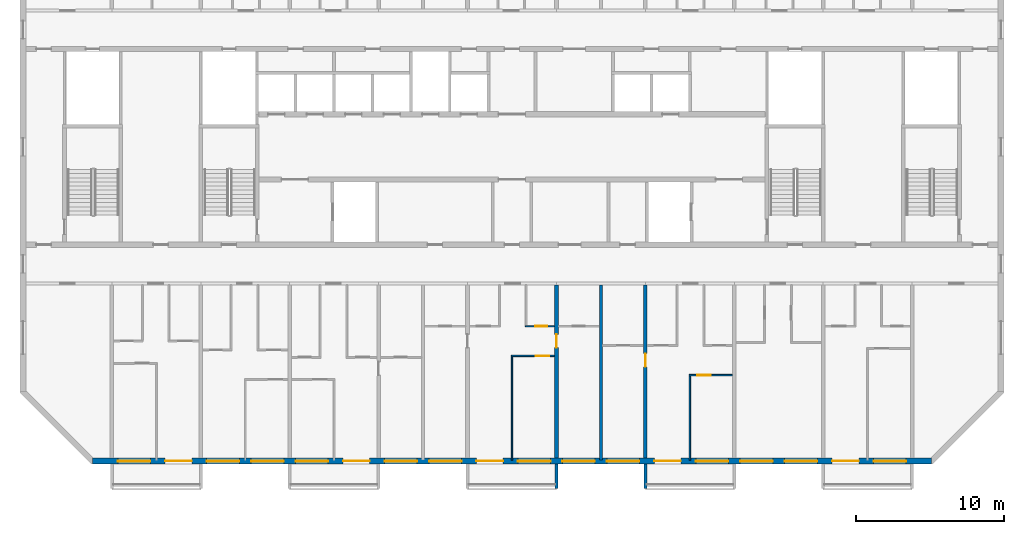
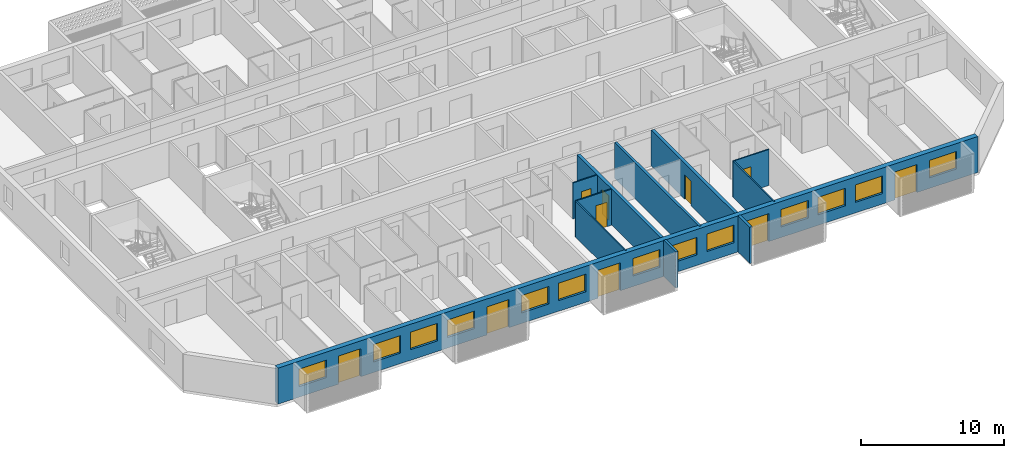
# One storey, part 4 of 26: 13 windows, 11 walls, 10 doors, 23 openings.
"""IFC4 building model written with IfcOpenShell, lengths in metres."""

from ifc_helpers import new_model, si_unit, direction, frame, frame_2d, origin, place, context, subcontext, project, spatial, polyline, rectangle, outline, extrude, source, transform, mapped, material, layer, layer_set, type_object, element, fill, save


model = new_model("IFC4")

# Units and contexts
model_context = context("Model", 3, precision=1e-05, world=origin(), true_north=direction((0.0, 1.0)))
body_context = subcontext(model_context, "Body", "Model", "MODEL_VIEW")
ifc_project = project(units=[si_unit("LENGTHUNIT", "METRE"), si_unit("AREAUNIT", "SQUARE_METRE"), si_unit("VOLUMEUNIT", "CUBIC_METRE"), si_unit("PLANEANGLEUNIT", "RADIAN"), si_unit("MASSUNIT", "GRAM", prefix="KILO")], contexts=[model_context])

# Site, building, storey
site_placement = place(None, origin())
site = spatial("IfcSite", under=ifc_project, at=site_placement, CompositionType="ELEMENT")
building_placement = place(site_placement, origin())
building = spatial("IfcBuilding", under=site, at=building_placement, Name="Poui Terraces", CompositionType="ELEMENT")
storey_placement = place(building_placement, frame((0.0, 0.0, 221.39990234375)))
storey = spatial("IfcBuildingStorey", under=building, at=storey_placement, Name="L61", CompositionType="ELEMENT", Elevation=221.39990234375)

# Wall, opening, door
ifc_material_1 = material(Name="Concrete 50 MPa", Category="concrete")
ifc_layer_1 = layer(ifc_material_1, 0.25)
ifc_layer_set_1 = layer_set([ifc_layer_1], Name="Concrete 50 MPa")
wall_type_1 = type_object("IfcWallType", Name="CROSS WALL 250 50MPa", PredefinedType="SHEAR", material=ifc_layer_set_1)
wall_1_placement = place(storey_placement, frame((54.0, 0.199951171875, 0.0), z_axis=(0.0, 0.0, 1.0), x_axis=(0.0, 1.0, 0.0)))
wall_1 = element("IfcWall", 1, at=wall_1_placement, inside=storey, type_object=wall_type_1, Name="CROSS WALL LINE 10 SOUTH", PredefinedType="SHEAR", context=body_context, shape_type="SweptSolid", body=[
    extrude(rectangle(XDim=11.699951171875, YDim=0.25, at=frame_2d((5.85009765625, 0.0))), origin(), (0.0, 0.0, 1.0), 3.080078125),
])
opening_1_placement = place(wall_1_placement, frame((7.449951171875, 0.0, 0.0)))
opening_1 = element("IfcOpeningElement", 2, at=opening_1_placement, cuts=wall_1, Name="Opening D90", PredefinedType="OPENING", context=body_context, shape_type="SweptSolid", body=[
    extrude(rectangle(XDim=0.89990234375, YDim=2.10009765625, at=frame_2d((0.449951171875, 1.050048828125))), frame((0.0, 0.135009765625, 0.0), z_axis=(0.0, -1.0, 0.0), x_axis=(1.0, 0.0, 0.0)), (0.0, 0.0, 1.0), 0.27001953125),
])
ifc_material_2 = material(Name="Solid core timber door", Category="wood")
door_type_1 = type_object("IfcDoorType", Name="INTERNAL DOOR 900 X 2100", OperationType="NOTDEFINED", PredefinedType="DOOR", material=ifc_material_2)
door_1_placement = place(opening_1_placement, frame((0.89990234375, 0.0, 0.0), z_axis=(0.0, 0.0, 1.0), x_axis=(-1.0, 0.0, 0.0)))
door_1 = element("IfcDoor", 3, at=door_1_placement, inside=storey, type_object=door_type_1, Name="INTERNAL DOOR 080", OperationType="SINGLE_SWING_LEFT", OverallHeight=2.10009765625, OverallWidth=0.89990234375, PredefinedType="DOOR", context=body_context, shape_type="SweptSolid", body=[
    extrude(rectangle(XDim=0.89990234375, YDim=2.10009765625, at=frame_2d((0.449951171875, 1.050048828125))), frame((0.0, 0.02490234375, 0.0), z_axis=(0.0, -1.0, 0.0), x_axis=(1.0, 0.0, 0.0)), (0.0, 0.0, 1.0), 0.050048828125),
])
fill(opening_1, door_1)

wall_2_placement = place(storey_placement, frame((60.0, 0.199951171875, 0.0), z_axis=(0.0, 0.0, 1.0), x_axis=(0.0, 1.0, 0.0)))
wall_2 = element("IfcWall", 4, at=wall_2_placement, inside=storey, type_object=wall_type_1, Name="CROSS WALL LINE 11 SOUTH", PredefinedType="SHEAR", context=body_context, shape_type="SweptSolid", body=[
    extrude(rectangle(XDim=11.699951171875, YDim=0.25, at=frame_2d((5.85009765625, 0.0))), origin(), (0.0, 0.0, 1.0), 3.080078125),
])
opening_2_placement = place(wall_2_placement, frame((6.14990234375, 0.0, 0.0)))
opening_2 = element("IfcOpeningElement", 5, at=opening_2_placement, cuts=wall_2, Name="Opening D90", PredefinedType="OPENING", context=body_context, shape_type="SweptSolid", body=[
    extrude(rectangle(XDim=0.89990234375, YDim=2.10009765625, at=frame_2d((0.449951171875, 1.050048828125))), frame((0.0, 0.135009765625, 0.0), z_axis=(0.0, -1.0, 0.0), x_axis=(1.0, 0.0, 0.0)), (0.0, 0.0, 1.0), 0.27001953125),
])
door_2_placement = place(opening_2_placement, origin())
door_2 = element("IfcDoor", 6, at=door_2_placement, inside=storey, type_object=door_type_1, Name="INTERNAL DOOR 082", OperationType="SINGLE_SWING_RIGHT", OverallHeight=2.10009765625, OverallWidth=0.89990234375, PredefinedType="DOOR", context=body_context, shape_type="SweptSolid", body=[
    extrude(rectangle(XDim=0.89990234375, YDim=2.10009765625, at=frame_2d((0.449951171875, 1.050048828125))), frame((0.0, 0.02490234375, 0.0), z_axis=(0.0, -1.0, 0.0), x_axis=(1.0, 0.0, 0.0)), (0.0, 0.0, 1.0), 0.050048828125),
])
fill(opening_2, door_2)

# Wall, openings, doors, windows
ifc_material_3 = material(Name="Precast concrete 40 MPa", Category="concrete")
ifc_layer_2 = layer(ifc_material_3, 0.39990234375)
ifc_layer_set_2 = layer_set([ifc_layer_2], Name="Precast concrete 40 MPa")
wall_type_2 = type_object("IfcWallType", Name="EXTERNAL WALL 400", PredefinedType="STANDARD", material=ifc_layer_set_2)
wall_3_placement = place(storey_placement, frame((22.682861328125, 0.0, 0.0), z_axis=(0.0, 0.0, 1.0), x_axis=(1.0, 0.0, 0.0)))
wall_3 = element("IfcWall", 7, at=wall_3_placement, inside=storey, type_object=wall_type_2, Name="EXTERNAL WALL S", PredefinedType="STANDARD", context=body_context, shape_type="SweptSolid", body=[
    extrude(rectangle(XDim=56.63427734375, YDim=0.39990234375, at=frame_2d((28.317138671875, 0.0))), origin(), (0.0, 0.0, 1.0), 3.080078125),
])
opening_3_placement = place(wall_3_placement, frame((1.71728515625, 0.0, 0.89990234375)))
opening_3 = element("IfcOpeningElement", 8, at=opening_3_placement, cuts=wall_3, Name="Opening W1", PredefinedType="OPENING", context=body_context, shape_type="SweptSolid", body=[
    extrude(rectangle(XDim=2.199951171875, YDim=1.5, at=frame_2d((1.10009765625, 0.75))), frame((0.0, 0.2099609375, 0.0), z_axis=(0.0, -1.0, 0.0), x_axis=(1.0, 0.0, 0.0)), (0.0, 0.0, 1.0), 0.419921875),
])
opening_4_placement = place(wall_3_placement, frame((4.917236328125, 0.0, 0.0)))
opening_4 = element("IfcOpeningElement", 9, at=opening_4_placement, cuts=wall_3, Name="Opening BD1", PredefinedType="OPENING", context=body_context, shape_type="SweptSolid", body=[
    extrude(rectangle(XDim=1.800048828125, YDim=2.39990234375, at=frame_2d((0.89990234375, 1.199951171875))), frame((0.0, 0.2099609375, 0.0), z_axis=(0.0, -1.0, 0.0), x_axis=(1.0, 0.0, 0.0)), (0.0, 0.0, 1.0), 0.419921875),
])
opening_5_placement = place(wall_3_placement, frame((7.71728515625, 0.0, 0.89990234375)))
opening_5 = element("IfcOpeningElement", 10, at=opening_5_placement, cuts=wall_3, Name="Opening W1", PredefinedType="OPENING", context=body_context, shape_type="SweptSolid", body=[
    extrude(rectangle(XDim=2.199951171875, YDim=1.5, at=frame_2d((1.10009765625, 0.75))), frame((0.0, 0.2099609375, 0.0), z_axis=(0.0, -1.0, 0.0), x_axis=(1.0, 0.0, 0.0)), (0.0, 0.0, 1.0), 0.419921875),
])
opening_6_placement = place(wall_3_placement, frame((10.71728515625, 0.0, 0.89990234375)))
opening_6 = element("IfcOpeningElement", 11, at=opening_6_placement, cuts=wall_3, Name="Opening W1", PredefinedType="OPENING", context=body_context, shape_type="SweptSolid", body=[
    extrude(rectangle(XDim=2.199951171875, YDim=1.5, at=frame_2d((1.10009765625, 0.75))), frame((0.0, 0.2099609375, 0.0), z_axis=(0.0, -1.0, 0.0), x_axis=(1.0, 0.0, 0.0)), (0.0, 0.0, 1.0), 0.419921875),
])
opening_7_placement = place(wall_3_placement, frame((13.71728515625, 0.0, 0.89990234375)))
opening_7 = element("IfcOpeningElement", 12, at=opening_7_placement, cuts=wall_3, Name="Opening W1", PredefinedType="OPENING", context=body_context, shape_type="SweptSolid", body=[
    extrude(rectangle(XDim=2.199951171875, YDim=1.5, at=frame_2d((1.10009765625, 0.75))), frame((0.0, 0.2099609375, 0.0), z_axis=(0.0, -1.0, 0.0), x_axis=(1.0, 0.0, 0.0)), (0.0, 0.0, 1.0), 0.419921875),
])
opening_8_placement = place(wall_3_placement, frame((16.917236328125, 0.0, 0.0)))
opening_8 = element("IfcOpeningElement", 13, at=opening_8_placement, cuts=wall_3, Name="Opening BD1", PredefinedType="OPENING", context=body_context, shape_type="SweptSolid", body=[
    extrude(rectangle(XDim=1.800048828125, YDim=2.39990234375, at=frame_2d((0.89990234375, 1.199951171875))), frame((0.0, 0.2099609375, 0.0), z_axis=(0.0, -1.0, 0.0), x_axis=(1.0, 0.0, 0.0)), (0.0, 0.0, 1.0), 0.419921875),
])
opening_9_placement = place(wall_3_placement, frame((19.71728515625, 0.0, 0.89990234375)))
opening_9 = element("IfcOpeningElement", 14, at=opening_9_placement, cuts=wall_3, Name="Opening W1", PredefinedType="OPENING", context=body_context, shape_type="SweptSolid", body=[
    extrude(rectangle(XDim=2.199951171875, YDim=1.5, at=frame_2d((1.10009765625, 0.75))), frame((0.0, 0.2099609375, 0.0), z_axis=(0.0, -1.0, 0.0), x_axis=(1.0, 0.0, 0.0)), (0.0, 0.0, 1.0), 0.419921875),
])
opening_10_placement = place(wall_3_placement, frame((22.71728515625, 0.0, 0.89990234375)))
opening_10 = element("IfcOpeningElement", 15, at=opening_10_placement, cuts=wall_3, Name="Opening W1", PredefinedType="OPENING", context=body_context, shape_type="SweptSolid", body=[
    extrude(rectangle(XDim=2.199951171875, YDim=1.5, at=frame_2d((1.10009765625, 0.75))), frame((0.0, 0.2099609375, 0.0), z_axis=(0.0, -1.0, 0.0), x_axis=(1.0, 0.0, 0.0)), (0.0, 0.0, 1.0), 0.419921875),
])
opening_11_placement = place(wall_3_placement, frame((25.917236328125, 0.0, 0.0)))
opening_11 = element("IfcOpeningElement", 16, at=opening_11_placement, cuts=wall_3, Name="Opening BD1", PredefinedType="OPENING", context=body_context, shape_type="SweptSolid", body=[
    extrude(rectangle(XDim=1.800048828125, YDim=2.39990234375, at=frame_2d((0.89990234375, 1.199951171875))), frame((0.0, 0.2099609375, 0.0), z_axis=(0.0, -1.0, 0.0), x_axis=(1.0, 0.0, 0.0)), (0.0, 0.0, 1.0), 0.419921875),
])
opening_12_placement = place(wall_3_placement, frame((28.71728515625, 0.0, 0.89990234375)))
opening_12 = element("IfcOpeningElement", 17, at=opening_12_placement, cuts=wall_3, Name="Opening W1", PredefinedType="OPENING", context=body_context, shape_type="SweptSolid", body=[
    extrude(rectangle(XDim=2.199951171875, YDim=1.5, at=frame_2d((1.10009765625, 0.75))), frame((0.0, 0.2099609375, 0.0), z_axis=(0.0, -1.0, 0.0), x_axis=(1.0, 0.0, 0.0)), (0.0, 0.0, 1.0), 0.419921875),
])
opening_13_placement = place(wall_3_placement, frame((31.71728515625, 0.0, 0.89990234375)))
opening_13 = element("IfcOpeningElement", 18, at=opening_13_placement, cuts=wall_3, Name="Opening W1", PredefinedType="OPENING", context=body_context, shape_type="SweptSolid", body=[
    extrude(rectangle(XDim=2.199951171875, YDim=1.5, at=frame_2d((1.10009765625, 0.75))), frame((0.0, 0.2099609375, 0.0), z_axis=(0.0, -1.0, 0.0), x_axis=(1.0, 0.0, 0.0)), (0.0, 0.0, 1.0), 0.419921875),
])
opening_14_placement = place(wall_3_placement, frame((34.71728515625, 0.0, 0.89990234375)))
opening_14 = element("IfcOpeningElement", 19, at=opening_14_placement, cuts=wall_3, Name="Opening W1", PredefinedType="OPENING", context=body_context, shape_type="SweptSolid", body=[
    extrude(rectangle(XDim=2.199951171875, YDim=1.5, at=frame_2d((1.10009765625, 0.75))), frame((0.0, 0.2099609375, 0.0), z_axis=(0.0, -1.0, 0.0), x_axis=(1.0, 0.0, 0.0)), (0.0, 0.0, 1.0), 0.419921875),
])
opening_15_placement = place(wall_3_placement, frame((37.917236328125, 0.0, 0.0)))
opening_15 = element("IfcOpeningElement", 20, at=opening_15_placement, cuts=wall_3, Name="Opening BD1", PredefinedType="OPENING", context=body_context, shape_type="SweptSolid", body=[
    extrude(rectangle(XDim=1.800048828125, YDim=2.39990234375, at=frame_2d((0.89990234375, 1.199951171875))), frame((0.0, 0.2099609375, 0.0), z_axis=(0.0, -1.0, 0.0), x_axis=(1.0, 0.0, 0.0)), (0.0, 0.0, 1.0), 0.419921875),
])
opening_16_placement = place(wall_3_placement, frame((40.71728515625, 0.0, 0.89990234375)))
opening_16 = element("IfcOpeningElement", 21, at=opening_16_placement, cuts=wall_3, Name="Opening W1", PredefinedType="OPENING", context=body_context, shape_type="SweptSolid", body=[
    extrude(rectangle(XDim=2.199951171875, YDim=1.5, at=frame_2d((1.10009765625, 0.75))), frame((0.0, 0.2099609375, 0.0), z_axis=(0.0, -1.0, 0.0), x_axis=(1.0, 0.0, 0.0)), (0.0, 0.0, 1.0), 0.419921875),
])
opening_17_placement = place(wall_3_placement, frame((43.71728515625, 0.0, 0.89990234375)))
opening_17 = element("IfcOpeningElement", 22, at=opening_17_placement, cuts=wall_3, Name="Opening W1", PredefinedType="OPENING", context=body_context, shape_type="SweptSolid", body=[
    extrude(rectangle(XDim=2.199951171875, YDim=1.5, at=frame_2d((1.10009765625, 0.75))), frame((0.0, 0.2099609375, 0.0), z_axis=(0.0, -1.0, 0.0), x_axis=(1.0, 0.0, 0.0)), (0.0, 0.0, 1.0), 0.419921875),
])
opening_18_placement = place(wall_3_placement, frame((46.71728515625, 0.0, 0.89990234375)))
opening_18 = element("IfcOpeningElement", 23, at=opening_18_placement, cuts=wall_3, Name="Opening W1", PredefinedType="OPENING", context=body_context, shape_type="SweptSolid", body=[
    extrude(rectangle(XDim=2.199951171875, YDim=1.5, at=frame_2d((1.10009765625, 0.75))), frame((0.0, 0.2099609375, 0.0), z_axis=(0.0, -1.0, 0.0), x_axis=(1.0, 0.0, 0.0)), (0.0, 0.0, 1.0), 0.419921875),
])
opening_19_placement = place(wall_3_placement, frame((49.917236328125, 0.0, 0.0)))
opening_19 = element("IfcOpeningElement", 24, at=opening_19_placement, cuts=wall_3, Name="Opening BD1", PredefinedType="OPENING", context=body_context, shape_type="SweptSolid", body=[
    extrude(rectangle(XDim=1.800048828125, YDim=2.39990234375, at=frame_2d((0.89990234375, 1.199951171875))), frame((0.0, 0.2099609375, 0.0), z_axis=(0.0, -1.0, 0.0), x_axis=(1.0, 0.0, 0.0)), (0.0, 0.0, 1.0), 0.419921875),
])
opening_20_placement = place(wall_3_placement, frame((52.71728515625, 0.0, 0.89990234375)))
opening_20 = element("IfcOpeningElement", 25, at=opening_20_placement, cuts=wall_3, Name="Opening W1", PredefinedType="OPENING", context=body_context, shape_type="SweptSolid", body=[
    extrude(rectangle(XDim=2.199951171875, YDim=1.5, at=frame_2d((1.10009765625, 0.75))), frame((0.0, 0.2099609375, 0.0), z_axis=(0.0, -1.0, 0.0), x_axis=(1.0, 0.0, 0.0)), (0.0, 0.0, 1.0), 0.419921875),
])
ifc_material_4 = material(Name="Clear glass in aluminium frame", Category="aluminium")
door_type_2 = type_object("IfcDoorType", Name="BALCONY DOOR 1800X2400", OperationType="DOUBLE_DOOR_SLIDING", PredefinedType="DOOR", material=ifc_material_4)
door_3_placement = place(opening_4_placement, origin())
door_3 = element("IfcDoor", 26, at=door_3_placement, inside=storey, type_object=door_type_2, Name="BD1 BALCONY DOOR", OperationType="DOUBLE_DOOR_SLIDING", OverallHeight=2.39990234375, OverallWidth=1.800048828125, PredefinedType="DOOR", context=body_context, shape_type="SweptSolid", body=[
    extrude(rectangle(XDim=1.800048828125, YDim=2.39990234375, at=frame_2d((0.89990234375, 1.199951171875))), frame((0.0, 0.02490234375, 0.0), z_axis=(0.0, -1.0, 0.0), x_axis=(1.0, 0.0, 0.0)), (0.0, 0.0, 1.0), 0.050048828125),
])
fill(opening_4, door_3)
door_4_placement = place(opening_8_placement, origin())
door_4 = element("IfcDoor", 27, at=door_4_placement, inside=storey, type_object=door_type_2, Name="BD1 BALCONY DOOR", OperationType="DOUBLE_DOOR_SLIDING", OverallHeight=2.39990234375, OverallWidth=1.800048828125, PredefinedType="DOOR", context=body_context, shape_type="SweptSolid", body=[
    extrude(rectangle(XDim=1.800048828125, YDim=2.39990234375, at=frame_2d((0.89990234375, 1.199951171875))), frame((0.0, 0.02490234375, 0.0), z_axis=(0.0, -1.0, 0.0), x_axis=(1.0, 0.0, 0.0)), (0.0, 0.0, 1.0), 0.050048828125),
])
fill(opening_8, door_4)
door_5_placement = place(opening_11_placement, origin())
door_5 = element("IfcDoor", 28, at=door_5_placement, inside=storey, type_object=door_type_2, Name="BD1 BALCONY DOOR", OperationType="DOUBLE_DOOR_SLIDING", OverallHeight=2.39990234375, OverallWidth=1.800048828125, PredefinedType="DOOR", context=body_context, shape_type="SweptSolid", body=[
    extrude(rectangle(XDim=1.800048828125, YDim=2.39990234375, at=frame_2d((0.89990234375, 1.199951171875))), frame((0.0, 0.02490234375, 0.0), z_axis=(0.0, -1.0, 0.0), x_axis=(1.0, 0.0, 0.0)), (0.0, 0.0, 1.0), 0.050048828125),
])
fill(opening_11, door_5)
door_6_placement = place(opening_15_placement, origin())
door_6 = element("IfcDoor", 29, at=door_6_placement, inside=storey, type_object=door_type_2, Name="BD1 BALCONY DOOR", OperationType="DOUBLE_DOOR_SLIDING", OverallHeight=2.39990234375, OverallWidth=1.800048828125, PredefinedType="DOOR", context=body_context, shape_type="SweptSolid", body=[
    extrude(rectangle(XDim=1.800048828125, YDim=2.39990234375, at=frame_2d((0.89990234375, 1.199951171875))), frame((0.0, 0.02490234375, 0.0), z_axis=(0.0, -1.0, 0.0), x_axis=(1.0, 0.0, 0.0)), (0.0, 0.0, 1.0), 0.050048828125),
])
fill(opening_15, door_6)
door_7_placement = place(opening_19_placement, origin())
door_7 = element("IfcDoor", 30, at=door_7_placement, inside=storey, type_object=door_type_2, Name="BD1 BALCONY DOOR", OperationType="DOUBLE_DOOR_SLIDING", OverallHeight=2.39990234375, OverallWidth=1.800048828125, PredefinedType="DOOR", context=body_context, shape_type="SweptSolid", body=[
    extrude(rectangle(XDim=1.800048828125, YDim=2.39990234375, at=frame_2d((0.89990234375, 1.199951171875))), frame((0.0, 0.02490234375, 0.0), z_axis=(0.0, -1.0, 0.0), x_axis=(1.0, 0.0, 0.0)), (0.0, 0.0, 1.0), 0.050048828125),
])
fill(opening_19, door_7)
window_type = type_object("IfcWindowType", Name="WINDOW 2200X1500", PartitioningType="DOUBLE_PANEL_HORIZONTAL", PredefinedType="WINDOW", material=ifc_material_4)
window_1_placement = place(opening_3_placement, origin())
window_1 = element("IfcWindow", 31, at=window_1_placement, inside=storey, type_object=window_type, Name="W1 WINDOW", OverallHeight=1.5, OverallWidth=2.199951171875, PartitioningType="DOUBLE_PANEL_HORIZONTAL", PredefinedType="WINDOW", context=body_context, shape_type="SweptSolid", body=[
    extrude(rectangle(XDim=2.199951171875, YDim=1.5, at=frame_2d((1.10009765625, 0.75))), frame((0.0, 0.030029296875, 0.0), z_axis=(0.0, -1.0, 0.0), x_axis=(1.0, 0.0, 0.0)), (0.0, 0.0, 1.0), 0.06005859375),
])
fill(opening_3, window_1)
window_2_placement = place(opening_5_placement, origin())
window_2 = element("IfcWindow", 32, at=window_2_placement, inside=storey, type_object=window_type, Name="W1 WINDOW", OverallHeight=1.5, OverallWidth=2.199951171875, PartitioningType="DOUBLE_PANEL_HORIZONTAL", PredefinedType="WINDOW", context=body_context, shape_type="SweptSolid", body=[
    extrude(rectangle(XDim=2.199951171875, YDim=1.5, at=frame_2d((1.10009765625, 0.75))), frame((0.0, 0.030029296875, 0.0), z_axis=(0.0, -1.0, 0.0), x_axis=(1.0, 0.0, 0.0)), (0.0, 0.0, 1.0), 0.06005859375),
])
fill(opening_5, window_2)
window_3_placement = place(opening_6_placement, origin())
window_3 = element("IfcWindow", 33, at=window_3_placement, inside=storey, type_object=window_type, Name="W1 WINDOW", OverallHeight=1.5, OverallWidth=2.199951171875, PartitioningType="DOUBLE_PANEL_HORIZONTAL", PredefinedType="WINDOW", context=body_context, shape_type="SweptSolid", body=[
    extrude(rectangle(XDim=2.199951171875, YDim=1.5, at=frame_2d((1.10009765625, 0.75))), frame((0.0, 0.030029296875, 0.0), z_axis=(0.0, -1.0, 0.0), x_axis=(1.0, 0.0, 0.0)), (0.0, 0.0, 1.0), 0.06005859375),
])
fill(opening_6, window_3)
window_4_placement = place(opening_7_placement, origin())
window_4 = element("IfcWindow", 34, at=window_4_placement, inside=storey, type_object=window_type, Name="W1 WINDOW", OverallHeight=1.5, OverallWidth=2.199951171875, PartitioningType="DOUBLE_PANEL_HORIZONTAL", PredefinedType="WINDOW", context=body_context, shape_type="SweptSolid", body=[
    extrude(rectangle(XDim=2.199951171875, YDim=1.5, at=frame_2d((1.10009765625, 0.75))), frame((0.0, 0.030029296875, 0.0), z_axis=(0.0, -1.0, 0.0), x_axis=(1.0, 0.0, 0.0)), (0.0, 0.0, 1.0), 0.06005859375),
])
fill(opening_7, window_4)
window_5_placement = place(opening_9_placement, origin())
window_5 = element("IfcWindow", 35, at=window_5_placement, inside=storey, type_object=window_type, Name="W1 WINDOW", OverallHeight=1.5, OverallWidth=2.199951171875, PartitioningType="DOUBLE_PANEL_HORIZONTAL", PredefinedType="WINDOW", context=body_context, shape_type="SweptSolid", body=[
    extrude(rectangle(XDim=2.199951171875, YDim=1.5, at=frame_2d((1.10009765625, 0.75))), frame((0.0, 0.030029296875, 0.0), z_axis=(0.0, -1.0, 0.0), x_axis=(1.0, 0.0, 0.0)), (0.0, 0.0, 1.0), 0.06005859375),
])
fill(opening_9, window_5)
window_6_placement = place(opening_10_placement, origin())
window_6 = element("IfcWindow", 36, at=window_6_placement, inside=storey, type_object=window_type, Name="W1 WINDOW", OverallHeight=1.5, OverallWidth=2.199951171875, PartitioningType="DOUBLE_PANEL_HORIZONTAL", PredefinedType="WINDOW", context=body_context, shape_type="SweptSolid", body=[
    extrude(rectangle(XDim=2.199951171875, YDim=1.5, at=frame_2d((1.10009765625, 0.75))), frame((0.0, 0.030029296875, 0.0), z_axis=(0.0, -1.0, 0.0), x_axis=(1.0, 0.0, 0.0)), (0.0, 0.0, 1.0), 0.06005859375),
])
fill(opening_10, window_6)
window_7_placement = place(opening_12_placement, origin())
window_7 = element("IfcWindow", 37, at=window_7_placement, inside=storey, type_object=window_type, Name="W1 WINDOW", OverallHeight=1.5, OverallWidth=2.199951171875, PartitioningType="DOUBLE_PANEL_HORIZONTAL", PredefinedType="WINDOW", context=body_context, shape_type="SweptSolid", body=[
    extrude(rectangle(XDim=2.199951171875, YDim=1.5, at=frame_2d((1.10009765625, 0.75))), frame((0.0, 0.030029296875, 0.0), z_axis=(0.0, -1.0, 0.0), x_axis=(1.0, 0.0, 0.0)), (0.0, 0.0, 1.0), 0.06005859375),
])
fill(opening_12, window_7)
window_8_placement = place(opening_13_placement, origin())
window_8 = element("IfcWindow", 38, at=window_8_placement, inside=storey, type_object=window_type, Name="W1 WINDOW", OverallHeight=1.5, OverallWidth=2.199951171875, PartitioningType="DOUBLE_PANEL_HORIZONTAL", PredefinedType="WINDOW", context=body_context, shape_type="SweptSolid", body=[
    extrude(rectangle(XDim=2.199951171875, YDim=1.5, at=frame_2d((1.10009765625, 0.75))), frame((0.0, 0.030029296875, 0.0), z_axis=(0.0, -1.0, 0.0), x_axis=(1.0, 0.0, 0.0)), (0.0, 0.0, 1.0), 0.06005859375),
])
fill(opening_13, window_8)
window_9_placement = place(opening_14_placement, origin())
window_9 = element("IfcWindow", 39, at=window_9_placement, inside=storey, type_object=window_type, Name="W1 WINDOW", OverallHeight=1.5, OverallWidth=2.199951171875, PartitioningType="DOUBLE_PANEL_HORIZONTAL", PredefinedType="WINDOW", context=body_context, shape_type="SweptSolid", body=[
    extrude(rectangle(XDim=2.199951171875, YDim=1.5, at=frame_2d((1.10009765625, 0.75))), frame((0.0, 0.030029296875, 0.0), z_axis=(0.0, -1.0, 0.0), x_axis=(1.0, 0.0, 0.0)), (0.0, 0.0, 1.0), 0.06005859375),
])
fill(opening_14, window_9)
window_10_placement = place(opening_16_placement, origin())
window_10 = element("IfcWindow", 40, at=window_10_placement, inside=storey, type_object=window_type, Name="W1 WINDOW", OverallHeight=1.5, OverallWidth=2.199951171875, PartitioningType="DOUBLE_PANEL_HORIZONTAL", PredefinedType="WINDOW", context=body_context, shape_type="SweptSolid", body=[
    extrude(rectangle(XDim=2.199951171875, YDim=1.5, at=frame_2d((1.10009765625, 0.75))), frame((0.0, 0.030029296875, 0.0), z_axis=(0.0, -1.0, 0.0), x_axis=(1.0, 0.0, 0.0)), (0.0, 0.0, 1.0), 0.06005859375),
])
fill(opening_16, window_10)
window_11_placement = place(opening_17_placement, origin())
window_11 = element("IfcWindow", 41, at=window_11_placement, inside=storey, type_object=window_type, Name="W1 WINDOW", OverallHeight=1.5, OverallWidth=2.199951171875, PartitioningType="DOUBLE_PANEL_HORIZONTAL", PredefinedType="WINDOW", context=body_context, shape_type="SweptSolid", body=[
    extrude(rectangle(XDim=2.199951171875, YDim=1.5, at=frame_2d((1.10009765625, 0.75))), frame((0.0, 0.030029296875, 0.0), z_axis=(0.0, -1.0, 0.0), x_axis=(1.0, 0.0, 0.0)), (0.0, 0.0, 1.0), 0.06005859375),
])
fill(opening_17, window_11)
window_12_placement = place(opening_18_placement, origin())
window_12 = element("IfcWindow", 42, at=window_12_placement, inside=storey, type_object=window_type, Name="W1 WINDOW", OverallHeight=1.5, OverallWidth=2.199951171875, PartitioningType="DOUBLE_PANEL_HORIZONTAL", PredefinedType="WINDOW", context=body_context, shape_type="SweptSolid", body=[
    extrude(rectangle(XDim=2.199951171875, YDim=1.5, at=frame_2d((1.10009765625, 0.75))), frame((0.0, 0.030029296875, 0.0), z_axis=(0.0, -1.0, 0.0), x_axis=(1.0, 0.0, 0.0)), (0.0, 0.0, 1.0), 0.06005859375),
])
fill(opening_18, window_12)
window_13_placement = place(opening_20_placement, origin())
window_13 = element("IfcWindow", 43, at=window_13_placement, inside=storey, type_object=window_type, Name="W1 WINDOW", OverallHeight=1.5, OverallWidth=2.199951171875, PartitioningType="DOUBLE_PANEL_HORIZONTAL", PredefinedType="WINDOW", context=body_context, shape_type="SweptSolid", body=[
    extrude(rectangle(XDim=2.199951171875, YDim=1.5, at=frame_2d((1.10009765625, 0.75))), frame((0.0, 0.030029296875, 0.0), z_axis=(0.0, -1.0, 0.0), x_axis=(1.0, 0.0, 0.0)), (0.0, 0.0, 1.0), 0.06005859375),
])
fill(opening_20, window_13)

# Wall, opening, door
ifc_material_5 = material(Name="Plasterboard partition")
ifc_layer_3 = layer(ifc_material_5, 0.10009765625)
ifc_layer_set_3 = layer_set([ifc_layer_3], Name="Plasterboard partition")
wall_type_3 = type_object("IfcWallType", Name="FLAT PARTITION 100", PredefinedType="PARTITIONING", material=ifc_layer_set_3)
wall_4_placement = place(storey_placement, frame((62.949951171875, 5.800048828125, 0.0), z_axis=(0.0, 0.0, 1.0), x_axis=(1.0, 0.0, 0.0)))
wall_4 = element("IfcWall", 44, at=wall_4_placement, inside=storey, type_object=wall_type_3, Name="FLAT PARTITION 100", PredefinedType="PARTITIONING", context=body_context, shape_type="SweptSolid", body=[
    extrude(rectangle(XDim=2.9150390625, YDim=0.10009765625, at=frame_2d((1.45751953125, 0.0))), origin(), (0.0, 0.0, 1.0), 3.080078125),
])
opening_21_placement = place(wall_4_placement, frame((0.550048828125, 0.0, 0.0)))
opening_21 = element("IfcOpeningElement", 45, at=opening_21_placement, cuts=wall_4, Name="Opening D90", PredefinedType="OPENING", context=body_context, shape_type="SweptSolid", body=[
    extrude(rectangle(XDim=0.89990234375, YDim=2.10009765625, at=frame_2d((0.449951171875, 1.050048828125))), frame((0.0, 0.06005859375, 0.0), z_axis=(0.0, -1.0, 0.0), x_axis=(1.0, 0.0, 0.0)), (0.0, 0.0, 1.0), 0.1201171875),
])
door_8_placement = place(opening_21_placement, origin())
door_8 = element("IfcDoor", 46, at=door_8_placement, inside=storey, type_object=door_type_1, Name="INTERNAL DOOR 085", OperationType="SINGLE_SWING_RIGHT", OverallHeight=2.10009765625, OverallWidth=0.89990234375, PredefinedType="DOOR", context=body_context, shape_type="SweptSolid", body=[
    extrude(rectangle(XDim=0.89990234375, YDim=2.10009765625, at=frame_2d((0.449951171875, 1.050048828125))), frame((0.0, 0.02490234375, 0.0), z_axis=(0.0, -1.0, 0.0), x_axis=(1.0, 0.0, 0.0)), (0.0, 0.0, 1.0), 0.050048828125),
])
fill(opening_21, door_8)

wall_5_placement = place(storey_placement, frame((50.949951171875, 7.10009765625, 0.0), z_axis=(0.0, 0.0, 1.0), x_axis=(1.0, 0.0, 0.0)))
wall_5 = element("IfcWall", 47, at=wall_5_placement, inside=storey, type_object=wall_type_3, Name="FLAT PARTITION 100", PredefinedType="PARTITIONING", context=body_context, shape_type="SweptSolid", body=[
    extrude(rectangle(XDim=2.9150390625, YDim=0.10009765625, at=frame_2d((1.45751953125, 0.0))), origin(), (0.0, 0.0, 1.0), 3.080078125),
])
opening_22_placement = place(wall_5_placement, frame((1.64990234375, 0.0, 0.0)))
opening_22 = element("IfcOpeningElement", 48, at=opening_22_placement, cuts=wall_5, Name="Opening D90", PredefinedType="OPENING", context=body_context, shape_type="SweptSolid", body=[
    extrude(rectangle(XDim=0.89990234375, YDim=2.10009765625, at=frame_2d((0.449951171875, 1.050048828125))), frame((0.0, 0.06005859375, 0.0), z_axis=(0.0, -1.0, 0.0), x_axis=(1.0, 0.0, 0.0)), (0.0, 0.0, 1.0), 0.1201171875),
])
door_9_placement = place(opening_22_placement, origin())
door_9 = element("IfcDoor", 49, at=door_9_placement, inside=storey, type_object=door_type_1, Name="INTERNAL DOOR 079", OperationType="SINGLE_SWING_LEFT", OverallHeight=2.10009765625, OverallWidth=0.89990234375, PredefinedType="DOOR", context=body_context, shape_type="SweptSolid", body=[
    extrude(rectangle(XDim=0.89990234375, YDim=2.10009765625, at=frame_2d((0.449951171875, 1.050048828125))), frame((0.0, 0.02490234375, 0.0), z_axis=(0.0, -1.0, 0.0), x_axis=(1.0, 0.0, 0.0)), (0.0, 0.0, 1.0), 0.050048828125),
])
fill(opening_22, door_9)

wall_6_placement = place(storey_placement, frame((51.89990234375, 9.10009765625, 0.0), z_axis=(0.0, 0.0, 1.0), x_axis=(1.0, 0.0, 0.0)))
wall_6 = element("IfcWall", 50, at=wall_6_placement, inside=storey, type_object=wall_type_3, Name="FLAT PARTITION 100", PredefinedType="PARTITIONING", context=body_context, shape_type="SweptSolid", body=[
    extrude(rectangle(XDim=1.965087890625, YDim=0.10009765625, at=frame_2d((0.982421875, 0.0))), origin(), (0.0, 0.0, 1.0), 3.080078125),
])
opening_23_placement = place(wall_6_placement, frame((0.675048828125, 0.0, 0.0)))
opening_23 = element("IfcOpeningElement", 51, at=opening_23_placement, cuts=wall_6, Name="Opening D80", PredefinedType="OPENING", context=body_context, shape_type="SweptSolid", body=[
    extrude(rectangle(XDim=0.800048828125, YDim=2.10009765625, at=frame_2d((0.39990234375, 1.050048828125))), frame((0.0, 0.06005859375, 0.0), z_axis=(0.0, -1.0, 0.0), x_axis=(1.0, 0.0, 0.0)), (0.0, 0.0, 1.0), 0.1201171875),
])
door_type_3 = type_object("IfcDoorType", Name="BATHROOM, LAUNDRY AND STORE DOOR 800 X 2100", OperationType="NOTDEFINED", PredefinedType="DOOR", material=ifc_material_2)
door_10_placement = place(opening_23_placement, origin())
door_10 = element("IfcDoor", 52, at=door_10_placement, inside=storey, type_object=door_type_3, Name="BATHROOM, LAUNDRY AND STORE DOOR 078", OperationType="SINGLE_SWING_RIGHT", OverallHeight=2.10009765625, OverallWidth=0.800048828125, PredefinedType="DOOR", context=body_context, shape_type="SweptSolid", body=[
    extrude(rectangle(XDim=0.800048828125, YDim=2.10009765625, at=frame_2d((0.39990234375, 1.050048828125))), frame((0.0, 0.02490234375, 0.0), z_axis=(0.0, -1.0, 0.0), x_axis=(1.0, 0.0, 0.0)), (0.0, 0.0, 1.0), 0.050048828125),
])
fill(opening_23, door_10)

# Walls
wall_7_placement = place(storey_placement, frame((51.0, 0.06005859375, 0.0), z_axis=(0.0, 0.0, 1.0), x_axis=(0.0, 1.0, 0.0)))
element("IfcWall", 53, at=wall_7_placement, inside=storey, type_object=wall_type_3, Name="FLAT PARTITION 100", PredefinedType="PARTITIONING", context=body_context, shape_type="SweptSolid", body=[
    extrude(rectangle(XDim=6.989990234375, YDim=0.10009765625, at=frame_2d((3.4951171875, 0.0))), origin(), (0.0, 0.0, 1.0), 3.080078125),
])
wall_8_placement = place(storey_placement, frame((63.0, 0.06005859375, 0.0), z_axis=(0.0, 0.0, 1.0), x_axis=(0.0, 1.0, 0.0)))
element("IfcWall", 54, at=wall_8_placement, inside=storey, type_object=wall_type_3, Name="FLAT PARTITION 100", PredefinedType="PARTITIONING", context=body_context, shape_type="SweptSolid", body=[
    extrude(rectangle(XDim=5.68994140625, YDim=0.10009765625, at=frame_2d((2.844970703125, 0.0))), origin(), (0.0, 0.0, 1.0), 3.080078125),
])
ifc_material_6 = material(Name="Fire-rated masonry wall", Category="masonry")
ifc_layer_4 = layer(ifc_material_6, 0.199951171875)
ifc_layer_set_4 = layer_set([ifc_layer_4], Name="Fire-rated masonry wall")
wall_type_4 = type_object("IfcWallType", Name="FLAT PARTY WALL 200", PredefinedType="PARTITIONING", material=ifc_layer_set_4)
wall_9_placement = place(storey_placement, frame((57.0, 0.06005859375, 0.0), z_axis=(0.0, 0.0, 1.0), x_axis=(0.0, 1.0, 0.0)))
element("IfcWall", 55, at=wall_9_placement, inside=storey, type_object=wall_type_4, Name="FLAT PARTY WALL 200", PredefinedType="PARTITIONING", context=body_context, shape_type="SweptSolid", body=[
    extrude(rectangle(XDim=11.829833984375, YDim=0.199951171875, at=frame_2d((5.9150390625, 0.0))), origin(), (0.0, 0.0, 1.0), 3.080078125),
])
ifc_layer_5 = layer(ifc_material_3, 0.199951171875)
ifc_layer_set_5 = layer_set([ifc_layer_5], Name="Precast concrete 40 MPa")
wall_type_5 = type_object("IfcWallType", Name="REAR FIN 200", PredefinedType="STANDARD", material=ifc_layer_set_5)
shared_shape = source(origin(), body_context, "Body", "SweptSolid", [
    extrude(outline(polyline([(0.0, 0.0), (0.2001953125, 0.0), (0.2001953125, 1.650146484375), (0.0, 1.650146484375), (0.0, 0.0)])), origin(), (0.0, 0.0, 1.0), 3.10009765625),
])
for number, where, name in (
    (56, (53.89990234375, -1.85009765625, 0.0), "REAR FIN"),
    (57, (59.89990234375, -1.85009765625, 0.0), "REAR FIN"),
):
    element("IfcWall", number, at=place(storey_placement, frame(where)), inside=storey, type_object=wall_type_5, Name=name, PredefinedType="STANDARD", context=body_context, shape_type="MappedRepresentation", body=[
        mapped(shared_shape, transform((0.0, 0.0, 0.0))),
    ])

save(model, "model.ifc")
